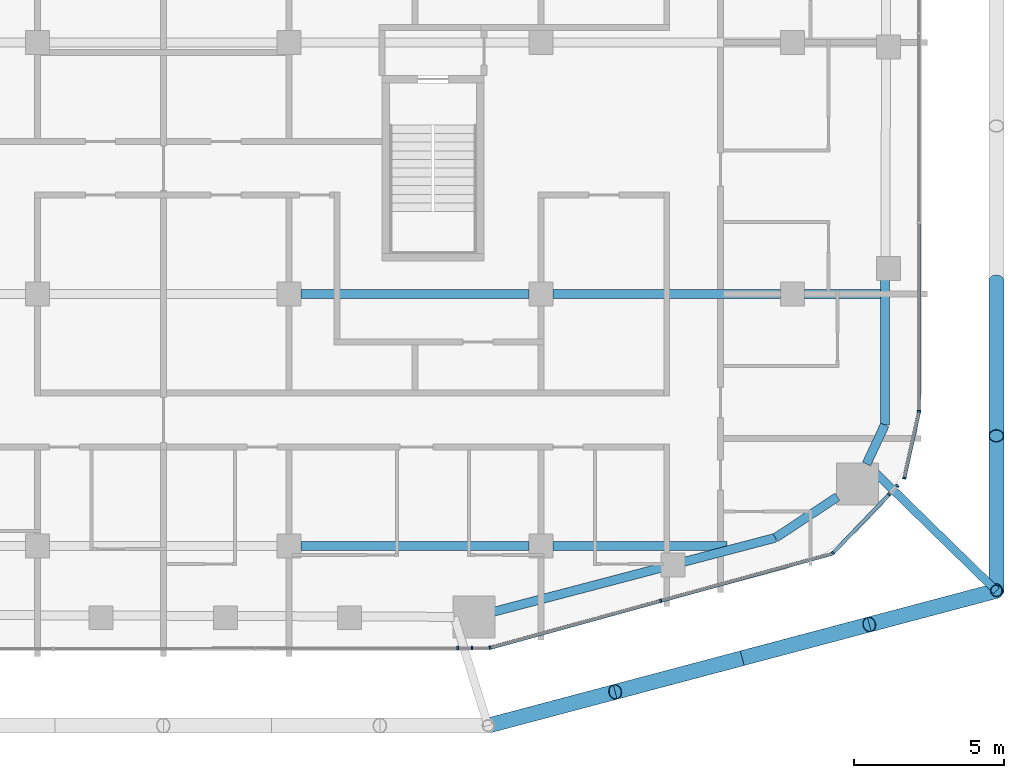
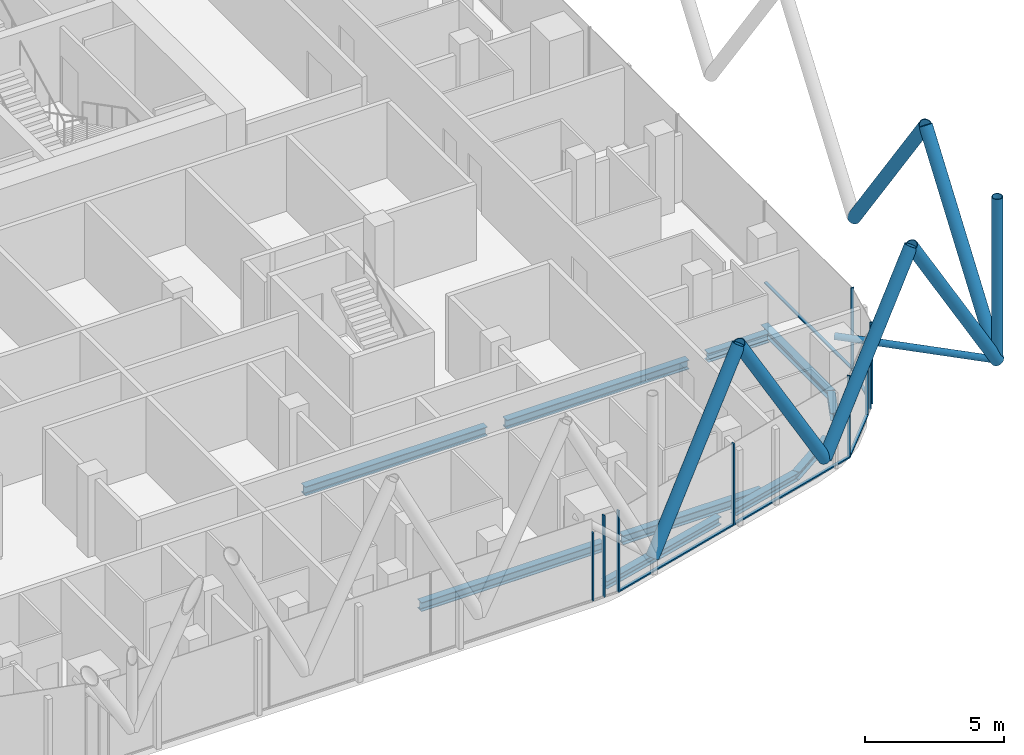
# One storey, part 6 of 28: 22 members, 10 beams, 7 elements without a shape of their own.
"""IFC4 building model written with IfcOpenShell, lengths in metres."""

from ifc_helpers import new_model, si_unit, direction, frame, origin, origin_2d, place, context, subcontext, project, spatial, rectangle, hollow_circle, i_section, extrude, material, layer, layer_set, material_profile, profile_set, type_object, element, aggregate, save


model = new_model("IFC4")

# Units and contexts
model_context = context("Model", 3, precision=1e-05, world=origin(), true_north=direction((0.0, 1.0)))
body_context = subcontext(model_context, "Body", "Model", "MODEL_VIEW")
ifc_project = project(units=[si_unit("LENGTHUNIT", "METRE"), si_unit("AREAUNIT", "SQUARE_METRE"), si_unit("VOLUMEUNIT", "CUBIC_METRE"), si_unit("PLANEANGLEUNIT", "RADIAN"), si_unit("MASSUNIT", "GRAM", prefix="KILO")], contexts=[model_context])

# Site, building, storey
site_placement = place(None, origin())
site = spatial("IfcSite", under=ifc_project, at=site_placement, CompositionType="ELEMENT")
building_placement = place(site_placement, origin())
building = spatial("IfcBuilding", under=site, at=building_placement, Name="Marenta Gate Hotel Tower", CompositionType="ELEMENT")
storey_placement = place(building_placement, frame((0.0, 0.0, 212.89990234375)))
storey = spatial("IfcBuildingStorey", under=building, at=storey_placement, Name="L49", CompositionType="ELEMENT", Elevation=212.89990234375)

# Members
ifc_material_1 = material(Name="Steel S355J2W", Category="steel")
ifc_material_profile_1 = material_profile(ifc_material_1, hollow_circle(Radius=0.203125, WallThickness=0.02490234375, at=origin_2d()), Name="CHS 406.4x25")
ifc_profile_set_1 = profile_set([ifc_material_profile_1], Name="Steel S355J2W")
member_type_1 = type_object("IfcMemberType", Name="Diagrid corner post Z3 CHS 406.4x25", PredefinedType="POST", material=ifc_profile_set_1)
member_1_placement = place(storey_placement, frame((27.800048828125, -26.7001953125, 3.14013671875), z_axis=(0.0, 0.0, 1.0), x_axis=(1.0, 0.0, 0.0)))
element("IfcMember", 1, at=member_1_placement, inside=storey, type_object=member_type_1, Name="L49-DR-2", PredefinedType="POST", context=body_context, shape_type="SweptSolid", body=[
    extrude(hollow_circle(Radius=0.203125, WallThickness=0.02490234375, at=origin_2d()), origin(), (0.0, 0.0, 1.0), 7.199951171875),
])
ifc_material_2 = material(Name="Steel S355J2W", Category="steel")
ifc_material_profile_2 = material_profile(ifc_material_2, hollow_circle(Radius=0.25390625, WallThickness=0.02490234375, at=origin_2d()), Name="CHS 508x25")
ifc_profile_set_2 = profile_set([ifc_material_profile_2], Name="Steel S355J2W")
member_type_2 = type_object("IfcMemberType", Name="Diagrid diagonal Z3 CHS 508x25", PredefinedType="BRACE", material=ifc_profile_set_2)
member_2_placement = place(storey_placement, frame((27.800048828125, -16.360107421875, 3.14013671875), z_axis=(0.0, -0.583260841117, 0.812284919975), x_axis=(1.0, 0.0, 0.0)))
element("IfcMember", 2, at=member_2_placement, inside=storey, type_object=member_type_2, Name="L49-DG-9", PredefinedType="BRACE", context=body_context, shape_type="SweptSolid", body=[
    extrude(hollow_circle(Radius=0.25390625, WallThickness=0.02490234375, at=origin_2d()), origin(), (0.0, 0.0, 1.0), 8.86376953125),
])
member_3_placement = place(storey_placement, frame((27.800048828125, -26.7001953125, 3.14013671875), z_axis=(0.0, 0.583279014058, 0.812271870595), x_axis=(-1.0, 0.0, 0.0)))
element("IfcMember", 3, at=member_3_placement, inside=storey, type_object=member_type_2, Name="L49-DG-10", PredefinedType="BRACE", context=body_context, shape_type="SweptSolid", body=[
    extrude(hollow_circle(Radius=0.25390625, WallThickness=0.02490234375, at=origin_2d()), origin(), (0.0, 0.0, 1.0), 8.864013671875),
])
for number, where, z_axis, x_axis, name in (
    (4, (27.800048828125, -26.7001953125, 3.14013671875), (-0.502924018666, -0.133433548941, 0.853968921838), (0.256443187528, -0.96655930577, 0.0), "L49-DG-11"),
    (5, (19.319580078125, -28.9501953125, 3.14013671875), (0.502924018666, 0.133433548941, 0.853968921838), (-0.256443187528, 0.96655930577, 0.0), "L49-DG-12"),
    (6, (19.319580078125, -28.9501953125, 3.14013671875), (-0.502925961678, -0.133405107407, 0.853972221087), (0.256391194513, -0.966573098827, 0.0), "L49-DG-13"),
    (7, (10.839111328125, -31.199951171875, 3.14013671875), (0.502924018666, 0.133433548941, 0.853968921838), (-0.256443187528, 0.96655930577, 0.0), "L49-DG-14"),
):
    element("IfcMember", number, at=place(storey_placement, frame(where, z_axis=z_axis, x_axis=x_axis)), inside=storey, type_object=member_type_2, Name=name, PredefinedType="BRACE", context=body_context, shape_type="SweptSolid", body=[
        extrude(hollow_circle(Radius=0.25390625, WallThickness=0.02490234375, at=origin_2d()), origin(), (0.0, 0.0, 1.0), 8.43115234375),
    ])

# Beams
ifc_material_3 = material(Name="Steel S355", Category="steel")
ifc_material_profile_3 = material_profile(ifc_material_3, i_section(OverallWidth=0.300048828125, OverallDepth=0.340087890625, WebThickness=0.011962890625, FlangeThickness=0.021484375, FilletRadius=0.027099609375, at=origin_2d()), Name="HEB 340")
ifc_profile_set_3 = profile_set([ifc_material_profile_3], Name="Steel S355")
beam_type_1 = type_object("IfcBeamType", Name="Edge beam HEB 340", PredefinedType="SPANDREL", material=ifc_profile_set_3)
beam_1_placement = place(storey_placement, frame((24.09130859375, -16.31201171875, -0.429931640625), z_axis=(-0.003318732666, -0.999994492992, 0.0), x_axis=(0.999994492992, -0.003318732666, 0.0)))
element("IfcBeam", 8, at=beam_1_placement, inside=storey, type_object=beam_type_1, Name="L49-EB-27", PredefinedType="SPANDREL", context=body_context, shape_type="SweptSolid", body=[
    extrude(i_section(OverallWidth=0.300048828125, OverallDepth=0.340087890625, WebThickness=0.011962890625, FlangeThickness=0.021484375, FilletRadius=0.027099609375, at=origin_2d()), origin(), (0.0, 0.0, 1.0), 4.855224609375),
])
beam_2_placement = place(storey_placement, frame((24.0751953125, -21.167236328125, -0.429931640625), z_axis=(-0.423341112024, -0.905970365338, 0.0), x_axis=(0.905970365338, -0.423341112024, 0.0)))
element("IfcBeam", 9, at=beam_2_placement, inside=storey, type_object=beam_type_1, Name="L49-EB-28", PredefinedType="SPANDREL", context=body_context, shape_type="SweptSolid", body=[
    extrude(i_section(OverallWidth=0.300048828125, OverallDepth=0.340087890625, WebThickness=0.011962890625, FlangeThickness=0.021484375, FilletRadius=0.027099609375, at=origin_2d()), origin(), (0.0, 0.0, 1.0), 1.437255859375),
])
beam_3_placement = place(storey_placement, frame((22.496337890625, -23.56640625, -0.429931640625), z_axis=(-0.834528740585, -0.550964410047, 0.0), x_axis=(0.550964410047, -0.834528740585, 0.0)))
element("IfcBeam", 10, at=beam_3_placement, inside=storey, type_object=beam_type_1, Name="L49-EB-29", PredefinedType="SPANDREL", context=body_context, shape_type="SweptSolid", body=[
    extrude(i_section(OverallWidth=0.300048828125, OverallDepth=0.340087890625, WebThickness=0.011962890625, FlangeThickness=0.021484375, FilletRadius=0.027099609375, at=origin_2d()), origin(), (0.0, 0.0, 1.0), 2.47705078125),
])
beam_4_placement = place(storey_placement, frame((20.42919921875, -24.93115234375, -0.429931640625), z_axis=(-0.967235227858, -0.253881889845, 0.0), x_axis=(0.253881889845, -0.967235227858, 0.0)))
element("IfcBeam", 11, at=beam_4_placement, inside=storey, type_object=beam_type_1, Name="L49-EB-30", PredefinedType="SPANDREL", context=body_context, shape_type="SweptSolid", body=[
    extrude(i_section(OverallWidth=0.300048828125, OverallDepth=0.340087890625, WebThickness=0.011962890625, FlangeThickness=0.021484375, FilletRadius=0.027099609375, at=origin_2d()), origin(), (0.0, 0.0, 1.0), 3.164794921875),
])
beam_5_placement = place(storey_placement, frame((16.6455078125, -25.92431640625, -0.429931640625), z_axis=(-0.96723496524, -0.253882890359, 0.0), x_axis=(0.253882890359, -0.96723496524, 0.0)))
element("IfcBeam", 12, at=beam_5_placement, inside=storey, type_object=beam_type_1, Name="L49-EB-31", PredefinedType="SPANDREL", context=body_context, shape_type="SweptSolid", body=[
    extrude(i_section(OverallWidth=0.300048828125, OverallDepth=0.340087890625, WebThickness=0.011962890625, FlangeThickness=0.021484375, FilletRadius=0.027099609375, at=origin_2d()), origin(), (0.0, 0.0, 1.0), 5.80810546875),
])

# Member
ifc_material_4 = material(Name="Steel S355J2W", Category="steel")
ifc_material_profile_4 = material_profile(ifc_material_4, hollow_circle(Radius=0.136474609375, WallThickness=0.012451171875, at=origin_2d()), Name="CHS 273x12.5")
ifc_profile_set_4 = profile_set([ifc_material_profile_4], Name="Steel S355J2W")
member_type_3 = type_object("IfcMemberType", Name="Floor tie CHS 273x12.5", PredefinedType="STRUT", material=ifc_profile_set_4)
member_4_placement = place(storey_placement, frame((27.800048828125, -26.7001953125, 3.14013671875), z_axis=(-0.715510328178, 0.698602154499, 0.0), x_axis=(-0.698602154499, -0.715510328178, 0.0)))
element("IfcMember", 13, at=member_4_placement, inside=storey, type_object=member_type_3, Name="L49-DR-8", PredefinedType="STRUT", context=body_context, shape_type="SweptSolid", body=[
    extrude(hollow_circle(Radius=0.136474609375, WallThickness=0.012451171875, at=origin_2d()), origin(), (0.0, 0.0, 1.0), 6.050048828125),
])

# Beams
ifc_material_5 = material(Name="Steel S355", Category="steel")
ifc_material_profile_5 = material_profile(ifc_material_5, i_section(OverallWidth=0.300048828125, OverallDepth=0.39990234375, WebThickness=0.013427734375, FlangeThickness=0.02392578125, FilletRadius=0.027099609375, at=origin_2d()), Name="HEB 400")
ifc_profile_set_5 = profile_set([ifc_material_profile_5], Name="Steel S355")
beam_type_2 = type_object("IfcBeamType", Name="Girder HEB 400", PredefinedType="BEAM", material=ifc_profile_set_5)
beam_6_placement = place(storey_placement, frame((4.60009765625, -25.199951171875, -0.4599609375), z_axis=(1.0, 0.0, 0.0), x_axis=(0.0, 1.0, 0.0)))
element("IfcBeam", 14, at=beam_6_placement, inside=storey, type_object=beam_type_2, Name="L49-GD-4", PredefinedType="BEAM", context=body_context, shape_type="SweptSolid", body=[
    extrude(i_section(OverallWidth=0.300048828125, OverallDepth=0.39990234375, WebThickness=0.013427734375, FlangeThickness=0.02392578125, FilletRadius=0.027099609375, at=origin_2d()), origin(), (0.0, 0.0, 1.0), 7.599853515625),
])
beam_7_placement = place(storey_placement, frame((13.0, -25.199951171875, -0.4599609375), z_axis=(1.0, 0.0, 0.0), x_axis=(0.0, 1.0, 0.0)))
element("IfcBeam", 15, at=beam_7_placement, inside=storey, type_object=beam_type_2, Name="L49-GD-5", PredefinedType="BEAM", context=body_context, shape_type="SweptSolid", body=[
    extrude(i_section(OverallWidth=0.300048828125, OverallDepth=0.39990234375, WebThickness=0.013427734375, FlangeThickness=0.02392578125, FilletRadius=0.027099609375, at=origin_2d()), origin(), (0.0, 0.0, 1.0), 5.81396484375),
])
beam_8_placement = place(storey_placement, frame((4.60009765625, -16.800048828125, -0.4599609375), z_axis=(1.0, 0.0, 0.0), x_axis=(0.0, 1.0, 0.0)))
element("IfcBeam", 16, at=beam_8_placement, inside=storey, type_object=beam_type_2, Name="L49-GD-10", PredefinedType="BEAM", context=body_context, shape_type="SweptSolid", body=[
    extrude(i_section(OverallWidth=0.300048828125, OverallDepth=0.39990234375, WebThickness=0.013427734375, FlangeThickness=0.02392578125, FilletRadius=0.027099609375, at=origin_2d()), origin(), (0.0, 0.0, 1.0), 7.599853515625),
])
beam_9_placement = place(storey_placement, frame((13.0, -16.800048828125, -0.4599609375), z_axis=(1.0, 0.0, 0.0), x_axis=(0.0, 1.0, 0.0)))
element("IfcBeam", 17, at=beam_9_placement, inside=storey, type_object=beam_type_2, Name="L49-GD-11", PredefinedType="BEAM", context=body_context, shape_type="SweptSolid", body=[
    extrude(i_section(OverallWidth=0.300048828125, OverallDepth=0.39990234375, WebThickness=0.013427734375, FlangeThickness=0.02392578125, FilletRadius=0.027099609375, at=origin_2d()), origin(), (0.0, 0.0, 1.0), 7.60009765625),
])
beam_10_placement = place(storey_placement, frame((21.39990234375, -16.800048828125, -0.4599609375), z_axis=(1.0, 0.0, 0.0), x_axis=(0.0, 1.0, 0.0)))
element("IfcBeam", 18, at=beam_10_placement, inside=storey, type_object=beam_type_2, Name="L49-GD-12", PredefinedType="BEAM", context=body_context, shape_type="SweptSolid", body=[
    extrude(i_section(OverallWidth=0.300048828125, OverallDepth=0.39990234375, WebThickness=0.013427734375, FlangeThickness=0.02392578125, FilletRadius=0.027099609375, at=origin_2d()), origin(), (0.0, 0.0, 1.0), 2.539794921875),
])

# Curtain wall, member
ifc_material_6 = material(Name="Tinted insulated glass in bronze anodised frame", Category="glass")
ifc_layer = layer(ifc_material_6, 0.1201171875)
ifc_layer_set = layer_set([ifc_layer], Name="Tinted insulated glass in bronze anodised frame")
curtain_wall_type = type_object("IfcCurtainWallType", Name="Tower unitised curtain wall CW1", PredefinedType="NOTDEFINED", material=ifc_layer_set)
curtain_wall_1_placement = place(storey_placement, origin())
curtain_wall_1 = element("IfcCurtainWall", 19, at=curtain_wall_1_placement, inside=storey, type_object=curtain_wall_type, Name="CW1 run G13", PredefinedType="NOTDEFINED")
ifc_material_7 = material(Name="Bronze anodised aluminium", Category="aluminium")
ifc_material_profile_6 = material_profile(ifc_material_7, rectangle(XDim=0.1201171875, YDim=0.06005859375, at=origin_2d()), Name="Mullion CW1 60x120 bronze anodised aluminium")
ifc_profile_set_6 = profile_set([ifc_material_profile_6], Name="Bronze anodised aluminium")
member_type_4 = type_object("IfcMemberType", Name="Mullion CW1 60x120 bronze anodised aluminium", PredefinedType="MULLION", material=ifc_profile_set_6)
member_5_placement = place(storey_placement, frame((9.824951171875, -28.6142578125, 0.0), z_axis=(0.0, 0.0, 1.0), x_axis=(-0.001686693784, 0.999998577531, 0.0)))
member_5 = element("IfcMember", 20, at=member_5_placement, type_object=member_type_4, Name="CW1 mullion 1", PredefinedType="MULLION", context=body_context, shape_type="SweptSolid", body=[
    extrude(rectangle(XDim=0.1201171875, YDim=0.06005859375, at=origin_2d()), origin(), (0.0, 0.0, 1.0), 3.00048828125),
])
aggregate(curtain_wall_1, [member_5])

curtain_wall_2_placement = place(storey_placement, origin())
curtain_wall_2 = element("IfcCurtainWall", 21, at=curtain_wall_2_placement, inside=storey, type_object=curtain_wall_type, Name="CW1 run G14", PredefinedType="NOTDEFINED")
member_6_placement = place(storey_placement, frame((10.29931640625, -28.613525390625, 0.0), z_axis=(0.0, 0.0, 1.0), x_axis=(-0.001654257461, 0.999998631715, 0.0)))
member_6 = element("IfcMember", 22, at=member_6_placement, type_object=member_type_4, Name="CW1 mullion 1", PredefinedType="MULLION", context=body_context, shape_type="SweptSolid", body=[
    extrude(rectangle(XDim=0.1201171875, YDim=0.06005859375, at=origin_2d()), origin(), (0.0, 0.0, 1.0), 3.60009765625),
])
aggregate(curtain_wall_2, [member_6])

# Curtain wall, members
curtain_wall_3_placement = place(storey_placement, origin())
curtain_wall_3 = element("IfcCurtainWall", 23, at=curtain_wall_3_placement, inside=storey, type_object=curtain_wall_type, Name="CW1 run G15", PredefinedType="NOTDEFINED")
member_7_placement = place(storey_placement, frame((10.902587890625, -28.6044921875, 0.0), z_axis=(0.0, 0.0, 1.0), x_axis=(-0.265293272675, 0.964167765212, 0.0)))
member_7 = element("IfcMember", 24, at=member_7_placement, type_object=member_type_4, Name="CW1 mullion 1", PredefinedType="MULLION", context=body_context, shape_type="SweptSolid", body=[
    extrude(rectangle(XDim=0.1201171875, YDim=0.06005859375, at=origin_2d()), origin(), (0.0, 0.0, 1.0), 3.60009765625),
])
member_8_placement = place(storey_placement, frame((16.599365234375, -27.037109375, 0.0), z_axis=(0.0, 0.0, 1.0), x_axis=(-0.265293272675, 0.964167765212, 0.0)))
member_8 = element("IfcMember", 25, at=member_8_placement, type_object=member_type_4, Name="CW1 mullion 2", PredefinedType="MULLION", context=body_context, shape_type="SweptSolid", body=[
    extrude(rectangle(XDim=0.1201171875, YDim=0.06005859375, at=origin_2d()), origin(), (0.0, 0.0, 1.0), 3.60009765625),
])

# Curtain wall, member
curtain_wall_4_placement = place(storey_placement, origin())
curtain_wall_4 = element("IfcCurtainWall", 26, at=curtain_wall_4_placement, inside=storey, type_object=curtain_wall_type, Name="CW1 run G16", PredefinedType="NOTDEFINED")
member_9_placement = place(storey_placement, frame((22.345458984375, -25.43994140625, 0.0), z_axis=(0.0, 0.0, 1.0), x_axis=(-0.721374796599, 0.692544874237, 0.0)))
member_9 = element("IfcMember", 27, at=member_9_placement, type_object=member_type_4, Name="CW1 mullion 1", PredefinedType="MULLION", context=body_context, shape_type="SweptSolid", body=[
    extrude(rectangle(XDim=0.1201171875, YDim=0.06005859375, at=origin_2d()), origin(), (0.0, 0.0, 1.0), 3.60009765625),
])

# Curtain wall, members
curtain_wall_5_placement = place(storey_placement, origin())
curtain_wall_5 = element("IfcCurtainWall", 28, at=curtain_wall_5_placement, inside=storey, type_object=curtain_wall_type, Name="CW1 run G17", PredefinedType="NOTDEFINED")
member_10_placement = place(storey_placement, frame((24.22412109375, -23.4833984375, 0.0), z_axis=(0.0, 0.0, 1.0), x_axis=(-0.721418199888, 0.692499661278, 0.0)))
member_10 = element("IfcMember", 29, at=member_10_placement, type_object=member_type_4, Name="CW1 mullion 1", PredefinedType="MULLION", context=body_context, shape_type="SweptSolid", body=[
    extrude(rectangle(XDim=0.1201171875, YDim=0.06005859375, at=origin_2d()), origin(), (0.0, 0.0, 1.0), 3.00048828125),
])
member_11_placement = place(storey_placement, frame((24.496337890625, -23.199951171875, 0.0), z_axis=(0.0, 0.0, 1.0), x_axis=(-0.721418199888, 0.692499661278, 0.0)))
member_11 = element("IfcMember", 30, at=member_11_placement, type_object=member_type_4, Name="CW1 mullion 2", PredefinedType="MULLION", context=body_context, shape_type="SweptSolid", body=[
    extrude(rectangle(XDim=0.1201171875, YDim=0.06005859375, at=origin_2d()), origin(), (0.0, 0.0, 1.0), 3.00048828125),
])
aggregate(curtain_wall_5, [member_10, member_11])

# Curtain wall, member
curtain_wall_6_placement = place(storey_placement, origin())
curtain_wall_6 = element("IfcCurtainWall", 31, at=curtain_wall_6_placement, inside=storey, type_object=curtain_wall_type, Name="CW1 run G18", PredefinedType="NOTDEFINED")
member_12_placement = place(storey_placement, frame((24.726806640625, -22.937255859375, 0.0), z_axis=(0.0, 0.0, 1.0), x_axis=(-0.97620669183, 0.216842096529, 0.0)))
member_12 = element("IfcMember", 32, at=member_12_placement, type_object=member_type_4, Name="CW1 mullion 1", PredefinedType="MULLION", context=body_context, shape_type="SweptSolid", body=[
    extrude(rectangle(XDim=0.1201171875, YDim=0.06005859375, at=origin_2d()), origin(), (0.0, 0.0, 1.0), 3.60009765625),
])

curtain_wall_7_placement = place(storey_placement, origin())
curtain_wall_7 = element("IfcCurtainWall", 33, at=curtain_wall_7_placement, inside=storey, type_object=curtain_wall_type, Name="CW1 run G19", PredefinedType="NOTDEFINED")
member_13_placement = place(storey_placement, frame((25.214111328125, -20.7138671875, 0.0), z_axis=(0.0, 0.0, 1.0), x_axis=(-1.0, 0.0, 0.0)))
member_13 = element("IfcMember", 34, at=member_13_placement, type_object=member_type_4, Name="CW1 mullion 1", PredefinedType="MULLION", context=body_context, shape_type="SweptSolid", body=[
    extrude(rectangle(XDim=0.1201171875, YDim=0.06005859375, at=origin_2d()), origin(), (0.0, 0.0, 1.0), 3.60009765625),
])

# Member
ifc_material_8 = material(Name="Bronze anodised aluminium", Category="aluminium")
ifc_material_profile_7 = material_profile(ifc_material_8, rectangle(XDim=0.1201171875, YDim=0.06005859375, at=origin_2d()), Name="Transom CW1 60x120 bronze anodised aluminium")
ifc_profile_set_7 = profile_set([ifc_material_profile_7], Name="Bronze anodised aluminium")
member_type_5 = type_object("IfcMemberType", Name="Transom CW1 60x120 bronze anodised aluminium", PredefinedType="USERDEFINED", material=ifc_profile_set_7)
member_14_placement = place(storey_placement, frame((10.931640625, -28.5966796875, 0.030029296875), z_axis=(0.964166959812, 0.265296199758, 0.0), x_axis=(-0.265296199758, 0.964166959812, 0.0)))
member_14 = element("IfcMember", 35, at=member_14_placement, type_object=member_type_5, Name="CW1 transom 1.1", ObjectType="TRANSOM", PredefinedType="USERDEFINED", context=body_context, shape_type="SweptSolid", body=[
    extrude(rectangle(XDim=0.1201171875, YDim=0.06005859375, at=origin_2d()), origin(), (0.0, 0.0, 1.0), 5.84814453125),
])

member_15_placement = place(storey_placement, frame((16.628173828125, -27.029052734375, 0.030029296875), z_axis=(0.964169199953, 0.265288058274, 0.0), x_axis=(-0.265288058274, 0.964169199953, 0.0)))
member_15 = element("IfcMember", 36, at=member_15_placement, type_object=member_type_5, Name="CW1 transom 2.1", ObjectType="TRANSOM", PredefinedType="USERDEFINED", context=body_context, shape_type="SweptSolid", body=[
    extrude(rectangle(XDim=0.1201171875, YDim=0.06005859375, at=origin_2d()), origin(), (0.0, 0.0, 1.0), 5.908203125),
])

aggregate(curtain_wall_3, [member_7, member_8, member_14, member_15])

member_16_placement = place(storey_placement, frame((22.366455078125, -25.41845703125, 0.030029296875), z_axis=(0.692508837001, 0.721409391868, 0.0), x_axis=(-0.721409391868, 0.692508837001, 0.0)))
member_16 = element("IfcMember", 37, at=member_16_placement, type_object=member_type_5, Name="CW1 transom 1.1", ObjectType="TRANSOM", PredefinedType="USERDEFINED", context=body_context, shape_type="SweptSolid", body=[
    extrude(rectangle(XDim=0.1201171875, YDim=0.06005859375, at=origin_2d()), origin(), (0.0, 0.0, 1.0), 2.652587890625),
])

aggregate(curtain_wall_4, [member_9, member_16])

member_17_placement = place(storey_placement, frame((24.7333984375, -22.907958984375, 0.030029296875), z_axis=(0.216848830219, 0.976205196069, 0.0), x_axis=(-0.976205196069, 0.216848830219, 0.0)))
member_17 = element("IfcMember", 38, at=member_17_placement, type_object=member_type_5, Name="CW1 transom 1.1", ObjectType="TRANSOM", PredefinedType="USERDEFINED", context=body_context, shape_type="SweptSolid", body=[
    extrude(rectangle(XDim=0.1201171875, YDim=0.06005859375, at=origin_2d()), origin(), (0.0, 0.0, 1.0), 2.216796875),
])

aggregate(curtain_wall_6, [member_12, member_17])

member_18_placement = place(storey_placement, frame((25.214111328125, -20.683837890625, 0.030029296875), z_axis=(0.0, 1.0, 0.0), x_axis=(-1.0, 0.0, 0.0)))
member_18 = element("IfcMember", 39, at=member_18_placement, type_object=member_type_5, Name="CW1 transom 1.1", ObjectType="TRANSOM", PredefinedType="USERDEFINED", context=body_context, shape_type="SweptSolid", body=[
    extrude(rectangle(XDim=0.1201171875, YDim=0.06005859375, at=origin_2d()), origin(), (0.0, 0.0, 1.0), 6.232666015625),
])

aggregate(curtain_wall_7, [member_13, member_18])

save(model, "model.ifc")
